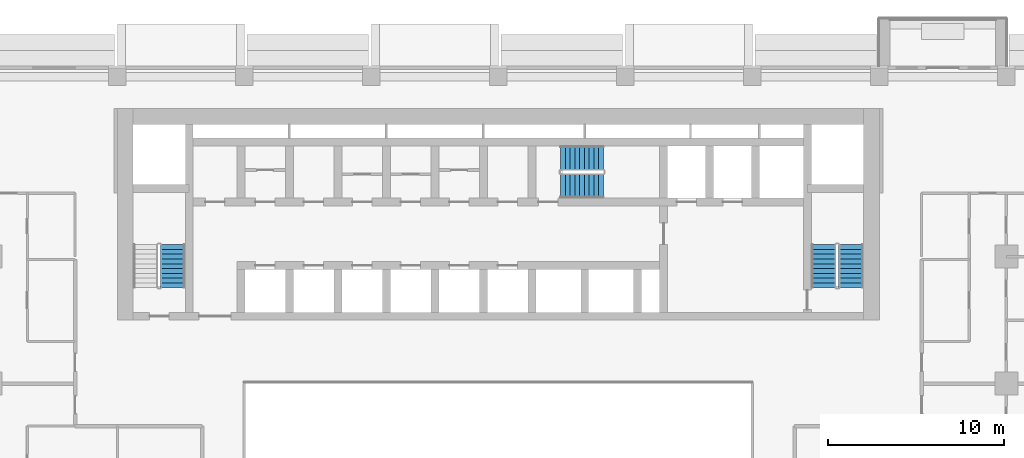
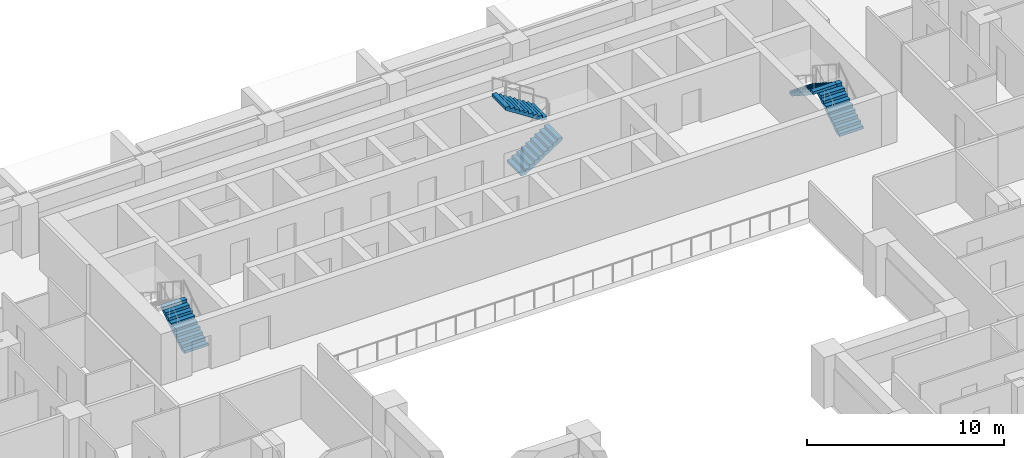
# One storey, part 13 of 17: 5 stair flights, 3 elements without a shape of their own.
"""IFC4 building model written with IfcOpenShell, lengths in metres."""

from ifc_helpers import new_model, si_unit, direction, frame, origin, place, context, subcontext, project, spatial, polyline, outline, extrude, material, layer, layer_set, type_object, element, aggregate, save


model = new_model("IFC4")

# Units and contexts
model_context = context("Model", 3, precision=1e-05, world=origin(), true_north=direction((0.0, 1.0)))
body_context = subcontext(model_context, "Body", "Model", "MODEL_VIEW")
ifc_project = project(units=[si_unit("LENGTHUNIT", "METRE"), si_unit("AREAUNIT", "SQUARE_METRE"), si_unit("VOLUMEUNIT", "CUBIC_METRE"), si_unit("PLANEANGLEUNIT", "RADIAN"), si_unit("MASSUNIT", "GRAM", prefix="KILO")], contexts=[model_context])

# Site, building, storey
site_placement = place(None, origin())
site = spatial("IfcSite", under=ifc_project, at=site_placement, CompositionType="ELEMENT")
building_placement = place(site_placement, origin())
building = spatial("IfcBuilding", under=site, at=building_placement, Name="Saffron Iwan Residences", CompositionType="ELEMENT")
storey_placement = place(building_placement, frame((0.0, 0.0, 72.5)))
storey = spatial("IfcBuildingStorey", under=building, at=storey_placement, Name="L18", CompositionType="ELEMENT", Elevation=72.5)

# Stair, stair flight
ifc_material = material(Name="Concrete C50/60", Category="concrete")
stair_type = type_object("IfcStairType", Name="Stair ST-CORE", PredefinedType="HALF_TURN_STAIR", material=ifc_material)
stair_1_placement = place(storey_placement, origin())
stair_1 = element("IfcStair", 1, at=stair_1_placement, inside=storey, type_object=stair_type, Name="L18 Exit Stair ST-W", PredefinedType="HALF_TURN_STAIR")
ifc_layer = layer(ifc_material, 0.14990234375)
ifc_layer_set = layer_set([ifc_layer], Name="Concrete C50/60")
stair_flight_type = type_object("IfcStairFlightType", Name="Stair flight SFL-RC", PredefinedType="STRAIGHT", material=ifc_layer_set)
stair_flight_1_placement = place(storey_placement, frame((31.949951171875, 67.85009765625, 0.0), z_axis=(0.0, 0.0, 1.0), x_axis=(0.0, 1.0, 0.0)))
stair_flight_1 = element("IfcStairFlight", 2, at=stair_flight_1_placement, type_object=stair_flight_type, Name="ST-W flight 1", NumberOfRisers=10, NumberOfTreads=9, PredefinedType="STRAIGHT", RiserHeight=0.175, TreadLength=0.27, context=body_context, shape_type="SweptSolid", body=[
    extrude(outline(polyline([(0.0, 0.0), (0.0, 0.175048828125), (0.27001953125, 0.175048828125), (0.27001953125, 0.35009765625), (0.5400390625, 0.35009765625), (0.5400390625, 0.52490234375), (0.81005859375, 0.52490234375), (0.81005859375, 0.699951171875), (1.080078125, 0.699951171875), (1.080078125, 0.875), (1.35009765625, 0.875), (1.35009765625, 1.050048828125), (1.6201171875, 1.050048828125), (1.6201171875, 1.22509765625), (1.889892578125, 1.22509765625), (1.889892578125, 1.39990234375), (2.159912109375, 1.39990234375), (2.159912109375, 1.574951171875), (2.429931640625, 1.574951171875), (2.429931640625, 1.75), (2.429931640625, 1.396484375), (0.275634765625, 0.0), (0.0, 0.0)])), frame((0.0, 0.699951171875, 0.0), z_axis=(0.0, -1.0, 0.0), x_axis=(1.0, 0.0, 0.0)), (0.0, 0.0, 1.0), 1.39990234375),
])
aggregate(stair_1, [stair_flight_1])

# Stair, stair flights
stair_2_placement = place(storey_placement, origin())
stair_2 = element("IfcStair", 3, at=stair_2_placement, inside=storey, type_object=stair_type, Name="L18 Exit Stair ST-C", PredefinedType="HALF_TURN_STAIR")
stair_flight_2_placement = place(storey_placement, frame((53.925048828125, 73.625, 0.0), z_axis=(0.0, 0.0, 1.0), x_axis=(1.0, 0.0, 0.0)))
stair_flight_2 = element("IfcStairFlight", 4, at=stair_flight_2_placement, type_object=stair_flight_type, Name="ST-C flight 1", NumberOfRisers=10, NumberOfTreads=9, PredefinedType="STRAIGHT", RiserHeight=0.175, TreadLength=0.27, context=body_context, shape_type="SweptSolid", body=[
    extrude(outline(polyline([(0.0, 0.0), (0.0, 0.175048828125), (0.27001953125, 0.175048828125), (0.27001953125, 0.35009765625), (0.5400390625, 0.35009765625), (0.5400390625, 0.52490234375), (0.81005859375, 0.52490234375), (0.81005859375, 0.699951171875), (1.080078125, 0.699951171875), (1.080078125, 0.875), (1.35009765625, 0.875), (1.35009765625, 1.050048828125), (1.6201171875, 1.050048828125), (1.6201171875, 1.22509765625), (1.889892578125, 1.22509765625), (1.889892578125, 1.39990234375), (2.159912109375, 1.39990234375), (2.159912109375, 1.574951171875), (2.429931640625, 1.574951171875), (2.429931640625, 1.75), (2.429931640625, 1.396484375), (0.275634765625, 0.0), (0.0, 0.0)])), frame((0.0, 0.699951171875, 0.0), z_axis=(0.0, -1.0, 0.0), x_axis=(1.0, 0.0, 0.0)), (0.0, 0.0, 1.0), 1.39990234375),
])
stair_flight_3_placement = place(storey_placement, frame((56.35498046875, 75.175048828125, 1.75), z_axis=(0.0, 0.0, 1.0), x_axis=(-1.0, 0.0, 0.0)))
stair_flight_3 = element("IfcStairFlight", 5, at=stair_flight_3_placement, type_object=stair_flight_type, Name="ST-C flight 2", NumberOfRisers=10, NumberOfTreads=9, PredefinedType="STRAIGHT", RiserHeight=0.175, TreadLength=0.27, context=body_context, shape_type="SweptSolid", body=[
    extrude(outline(polyline([(0.0, 0.0), (0.0, 0.175048828125), (0.27001953125, 0.175048828125), (0.27001953125, 0.35009765625), (0.5400390625, 0.35009765625), (0.5400390625, 0.52490234375), (0.81005859375, 0.52490234375), (0.81005859375, 0.699951171875), (1.080078125, 0.699951171875), (1.080078125, 0.875), (1.35009765625, 0.875), (1.35009765625, 1.050048828125), (1.6201171875, 1.050048828125), (1.6201171875, 1.22509765625), (1.889892578125, 1.22509765625), (1.889892578125, 1.39990234375), (2.159912109375, 1.39990234375), (2.159912109375, 1.574951171875), (2.429931640625, 1.574951171875), (2.429931640625, 1.75), (2.429931640625, 1.396484375), (0.275634765625, 0.0), (0.0, 0.0)])), frame((0.0, 0.699951171875, 0.0), z_axis=(0.0, -1.0, 0.0), x_axis=(1.0, 0.0, 0.0)), (0.0, 0.0, 1.0), 1.39990234375),
])
aggregate(stair_2, [stair_flight_2, stair_flight_3])

stair_3_placement = place(storey_placement, origin())
stair_3 = element("IfcStair", 6, at=stair_3_placement, inside=storey, type_object=stair_type, Name="L18 Exit Stair ST-E", PredefinedType="HALF_TURN_STAIR")
stair_flight_4_placement = place(storey_placement, frame((70.39990234375, 67.85009765625, 0.0), z_axis=(0.0, 0.0, 1.0), x_axis=(0.0, 1.0, 0.0)))
stair_flight_4 = element("IfcStairFlight", 7, at=stair_flight_4_placement, type_object=stair_flight_type, Name="ST-E flight 1", NumberOfRisers=10, NumberOfTreads=9, PredefinedType="STRAIGHT", RiserHeight=0.175, TreadLength=0.27, context=body_context, shape_type="SweptSolid", body=[
    extrude(outline(polyline([(0.0, 0.0), (0.0, 0.175048828125), (0.27001953125, 0.175048828125), (0.27001953125, 0.35009765625), (0.5400390625, 0.35009765625), (0.5400390625, 0.52490234375), (0.81005859375, 0.52490234375), (0.81005859375, 0.699951171875), (1.080078125, 0.699951171875), (1.080078125, 0.875), (1.35009765625, 0.875), (1.35009765625, 1.050048828125), (1.6201171875, 1.050048828125), (1.6201171875, 1.22509765625), (1.889892578125, 1.22509765625), (1.889892578125, 1.39990234375), (2.159912109375, 1.39990234375), (2.159912109375, 1.574951171875), (2.429931640625, 1.574951171875), (2.429931640625, 1.75), (2.429931640625, 1.396484375), (0.275634765625, 0.0), (0.0, 0.0)])), frame((0.0, 0.699951171875, 0.0), z_axis=(0.0, -1.0, 0.0), x_axis=(1.0, 0.0, 0.0)), (0.0, 0.0, 1.0), 1.39990234375),
])
stair_flight_5_placement = place(storey_placement, frame((68.85009765625, 70.280029296875, 1.75), z_axis=(0.0, 0.0, 1.0), x_axis=(0.0, -1.0, 0.0)))
stair_flight_5 = element("IfcStairFlight", 8, at=stair_flight_5_placement, type_object=stair_flight_type, Name="ST-E flight 2", NumberOfRisers=10, NumberOfTreads=9, PredefinedType="STRAIGHT", RiserHeight=0.175, TreadLength=0.27, context=body_context, shape_type="SweptSolid", body=[
    extrude(outline(polyline([(0.0, 0.0), (0.0, 0.175048828125), (0.27001953125, 0.175048828125), (0.27001953125, 0.35009765625), (0.5400390625, 0.35009765625), (0.5400390625, 0.52490234375), (0.81005859375, 0.52490234375), (0.81005859375, 0.699951171875), (1.080078125, 0.699951171875), (1.080078125, 0.875), (1.35009765625, 0.875), (1.35009765625, 1.050048828125), (1.6201171875, 1.050048828125), (1.6201171875, 1.22509765625), (1.889892578125, 1.22509765625), (1.889892578125, 1.39990234375), (2.159912109375, 1.39990234375), (2.159912109375, 1.574951171875), (2.429931640625, 1.574951171875), (2.429931640625, 1.75), (2.429931640625, 1.396484375), (0.275634765625, 0.0), (0.0, 0.0)])), frame((0.0, 0.699951171875, 0.0), z_axis=(0.0, -1.0, 0.0), x_axis=(1.0, 0.0, 0.0)), (0.0, 0.0, 1.0), 1.39990234375),
])
aggregate(stair_3, [stair_flight_4, stair_flight_5])

save(model, "model.ifc")
